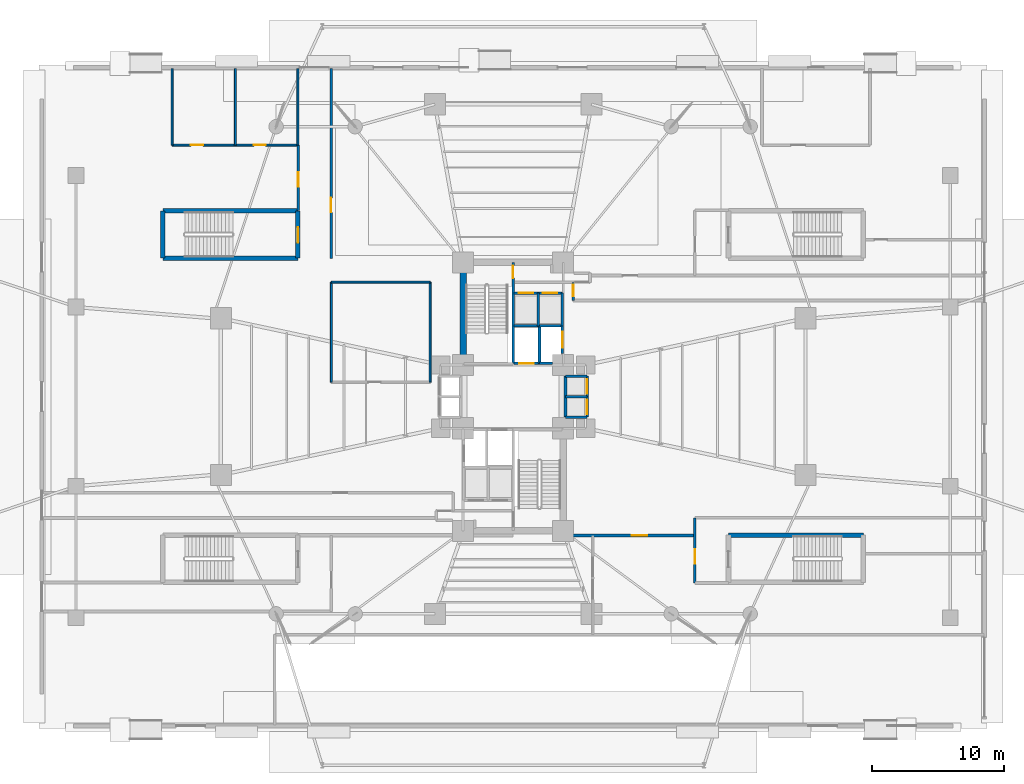
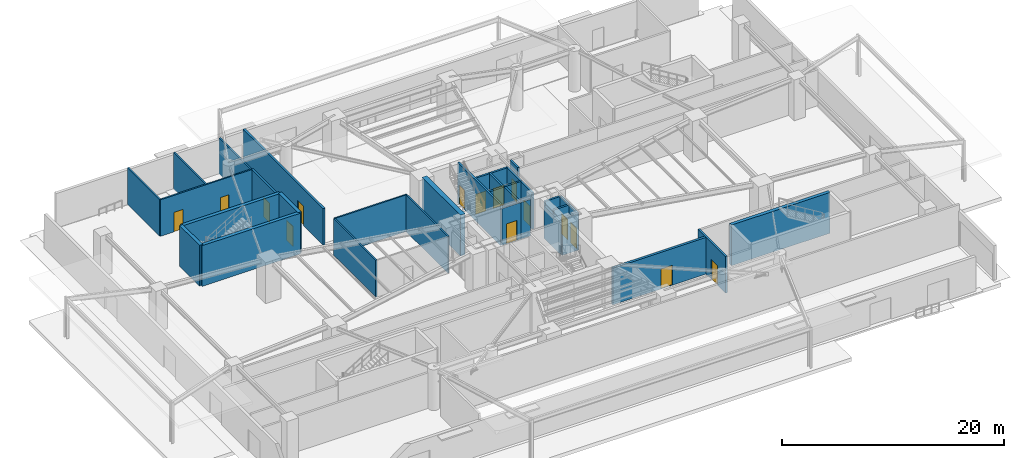
# One storey, part 18 of 31: 34 walls, 15 doors, 15 openings.
"""IFC4 building model written with IfcOpenShell, lengths in metres."""

from ifc_helpers import new_model, si_unit, direction, frame, frame_2d, origin, origin_2d, place, context, subcontext, project, spatial, rectangle, extrude, source, transform, mapped, material, layer, layer_set, type_object, element, fill, save


model = new_model("IFC4")

# Units and contexts
model_context = context("Model", 3, precision=1e-05, world=origin(), true_north=direction((0.0, 1.0)))
body_context = subcontext(model_context, "Body", "Model", "MODEL_VIEW")
ifc_project = project(units=[si_unit("LENGTHUNIT", "METRE"), si_unit("AREAUNIT", "SQUARE_METRE"), si_unit("VOLUMEUNIT", "CUBIC_METRE"), si_unit("PLANEANGLEUNIT", "RADIAN"), si_unit("MASSUNIT", "GRAM", prefix="KILO")], contexts=[model_context])

# Site, building, storey
site_placement = place(None, origin())
site = spatial("IfcSite", under=ifc_project, at=site_placement, CompositionType="ELEMENT")
building_placement = place(site_placement, origin())
building = spatial("IfcBuilding", under=site, at=building_placement, Name="Sahyath Konkavel Grand Hotel", CompositionType="ELEMENT")
storey_placement = place(building_placement, origin())
storey = spatial("IfcBuildingStorey", under=building, at=storey_placement, Name="L00", CompositionType="ELEMENT", Elevation=0.0)

# Walls
ifc_material_1 = material(Name="Concrete C40/50", Category="concrete")
ifc_layer_1 = layer(ifc_material_1, 0.35009765625)
ifc_layer_set_1 = layer_set([ifc_layer_1], Name="Concrete C40/50")
wall_type_1 = type_object("IfcWallType", Name="CWALL-350", PredefinedType="SHEAR", material=ifc_layer_set_1)
for number, where, z_axis, x_axis, name in (
    (1, (-26.60009765625, 14.10009765625, 0.0), (0.0, 0.0, 1.0), (1.0, 0.0, 0.0), "L00 Partition ST-P1-N"),
    (2, (-26.60009765625, 10.52001953125, 0.0), (0.0, 0.0, 1.0), (1.0, 0.0, 0.0), "L00 Partition ST-P1-S"),
):
    element("IfcWall", number, at=place(storey_placement, frame(where, z_axis=z_axis, x_axis=x_axis)), inside=storey, type_object=wall_type_1, Name=name, PredefinedType="SHEAR", context=body_context, shape_type="SweptSolid", body=[
        extrude(rectangle(XDim=10.25, YDim=0.35009765625, at=frame_2d((5.125, 0.0))), origin(), (0.0, 0.0, 1.0), 4.47998046875),
    ])
wall_1_placement = place(storey_placement, frame((-26.60009765625, 10.52001953125, 0.0), z_axis=(0.0, 0.0, 1.0), x_axis=(0.0, 1.0, 0.0)))
element("IfcWall", 3, at=wall_1_placement, inside=storey, type_object=wall_type_1, Name="L00 Partition ST-P1-W", PredefinedType="SHEAR", context=body_context, shape_type="SweptSolid", body=[
    extrude(rectangle(XDim=3.580078125, YDim=0.35009765625, at=frame_2d((1.7900390625, 0.0))), origin(), (0.0, 0.0, 1.0), 4.47998046875),
])

# Wall, opening, door
wall_2_placement = place(storey_placement, frame((-16.35009765625, 10.52001953125, 0.0), z_axis=(0.0, 0.0, 1.0), x_axis=(0.0, 1.0, 0.0)))
wall_2 = element("IfcWall", 4, at=wall_2_placement, inside=storey, type_object=wall_type_1, Name="L00 Partition ST-P1-E", PredefinedType="SHEAR", context=body_context, shape_type="SweptSolid", body=[
    extrude(rectangle(XDim=3.580078125, YDim=0.35009765625, at=frame_2d((1.7900390625, 0.0))), origin(), (0.0, 0.0, 1.0), 4.47998046875),
])
opening_1_placement = place(wall_2_placement, frame((1.14990234375, 0.0, 0.0)))
opening_1 = element("IfcOpeningElement", 5, at=opening_1_placement, cuts=wall_2, Name="Opening D-F12A", PredefinedType="OPENING", context=body_context, shape_type="SweptSolid", body=[
    extrude(rectangle(XDim=1.199951171875, YDim=2.199951171875, at=frame_2d((0.60009765625, 1.10009765625))), frame((0.0, 0.18505859375, 0.0), z_axis=(0.0, -1.0, 0.0), x_axis=(1.0, 0.0, 0.0)), (0.0, 0.0, 1.0), 0.3701171875),
])
ifc_material_2 = material(Name="Steel E350 Fire Door", Category="steel")
door_type_1 = type_object("IfcDoorType", Name="DR-FD120-1200", OperationType="NOTDEFINED", PredefinedType="DOOR", material=ifc_material_2)
shared_shape_1 = source(origin(), body_context, "Body", "SweptSolid", [
    extrude(rectangle(XDim=1.199951171875, YDim=0.050048828125, at=origin_2d()), origin(), (0.0, 0.0, 1.0), 2.199951171875),
])
door_1_placement = place(opening_1_placement, frame((0.60009765625, 0.0, 0.0)))
door_1 = element("IfcDoor", 6, at=door_1_placement, inside=storey, type_object=door_type_1, Name="L00 ST-P1 Fire Door", OperationType="SINGLE_SWING_RIGHT", OverallHeight=2.199951171875, OverallWidth=1.199951171875, PredefinedType="DOOR", context=body_context, shape_type="MappedRepresentation", body=[
    mapped(shared_shape_1, transform((0.0, 0.0, 0.0), scale=1.0)),
])
fill(opening_1, door_1)

# Walls
wall_3_placement = place(storey_placement, frame((16.35009765625, -10.52001953125, 0.0), z_axis=(0.0, 0.0, 1.0), x_axis=(1.0, 0.0, 0.0)))
element("IfcWall", 7, at=wall_3_placement, inside=storey, type_object=wall_type_1, Name="L00 Partition ST-P4-N", PredefinedType="SHEAR", context=body_context, shape_type="SweptSolid", body=[
    extrude(rectangle(XDim=10.25, YDim=0.35009765625, at=frame_2d((5.125, 0.0))), origin(), (0.0, 0.0, 1.0), 4.47998046875),
])
ifc_material_3 = material(Name="Concrete C70/85", Category="concrete")
ifc_layer_2 = layer(ifc_material_3, 0.5)
ifc_layer_set_2 = layer_set([ifc_layer_2], Name="Concrete C70/85")
wall_type_2 = type_object("IfcWallType", Name="CWALL-500", PredefinedType="SHEAR", material=ifc_layer_set_2)
wall_4_placement = place(storey_placement, frame((-3.800048828125, 2.85009765625, 0.0), z_axis=(0.0, 0.0, 1.0), x_axis=(0.0, 1.0, 0.0)))
element("IfcWall", 8, at=wall_4_placement, inside=storey, type_object=wall_type_2, Name="L00 North Core Shear Wall W", PredefinedType="SHEAR", context=body_context, shape_type="SweptSolid", body=[
    extrude(rectangle(XDim=6.89990234375, YDim=0.5, at=frame_2d((3.449951171875, 0.0))), origin(), (0.0, 0.0, 1.0), 4.47998046875),
])

# Wall, opening, door
ifc_layer_3 = layer(ifc_material_1, 0.199951171875)
ifc_layer_set_3 = layer_set([ifc_layer_3], Name="Concrete C40/50")
wall_type_3 = type_object("IfcWallType", Name="WLL-CORE-200", PredefinedType="SOLIDWALL", material=ifc_layer_set_3)
wall_5_placement = place(storey_placement, frame((0.0, 2.5, 0.0), z_axis=(0.0, 0.0, 1.0), x_axis=(0.0, 1.0, 0.0)))
wall_5 = element("IfcWall", 9, at=wall_5_placement, inside=storey, type_object=wall_type_3, Name="L00 Stair ST-1 Shaft Wall E", PredefinedType="SOLIDWALL", context=body_context, shape_type="SweptSolid", body=[
    extrude(rectangle(XDim=7.679931640625, YDim=0.199951171875, at=frame_2d((3.83984375, 0.0))), origin(), (0.0, 0.0, 1.0), 4.47998046875),
])
opening_2_placement = place(wall_5_placement, frame((6.5, 0.0, 0.0)))
opening_2 = element("IfcOpeningElement", 10, at=opening_2_placement, cuts=wall_5, Name="Opening D-F12C", PredefinedType="OPENING", context=body_context, shape_type="SweptSolid", body=[
    extrude(rectangle(XDim=0.949951171875, YDim=2.14990234375, at=frame_2d((0.47509765625, 1.074951171875))), frame((0.0, 0.10986328125, 0.0), z_axis=(0.0, -1.0, 0.0), x_axis=(1.0, 0.0, 0.0)), (0.0, 0.0, 1.0), 0.219970703125),
])
ifc_material_4 = material(Name="Steel E350 Plant Fire Door", Category="steel")
door_type_2 = type_object("IfcDoorType", Name="DR-FD120-950", OperationType="NOTDEFINED", PredefinedType="DOOR", material=ifc_material_4)
shared_shape_2 = source(origin(), body_context, "Body", "SweptSolid", [
    extrude(rectangle(XDim=0.949951171875, YDim=0.050048828125, at=origin_2d()), origin(), (0.0, 0.0, 1.0), 2.14990234375),
])
door_2_placement = place(opening_2_placement, frame((0.47509765625, 0.0, 0.0)))
door_2 = element("IfcDoor", 11, at=door_2_placement, inside=storey, type_object=door_type_2, Name="L00 Stair ST-1 Fire Door", OperationType="SINGLE_SWING_RIGHT", OverallHeight=2.14990234375, OverallWidth=0.949951171875, PredefinedType="DOOR", context=body_context, shape_type="MappedRepresentation", body=[
    mapped(shared_shape_2, transform((0.0, 0.0, 0.0), scale=1.0)),
])
fill(opening_2, door_2)

# Wall
wall_6_placement = place(storey_placement, frame((2.0, 2.5, 0.0), z_axis=(0.0, 0.0, 1.0), x_axis=(0.0, 1.0, 0.0)))
element("IfcWall", 12, at=wall_6_placement, inside=storey, type_object=wall_type_3, Name="L00 Partition SH-FFL1-E", PredefinedType="SOLIDWALL", context=body_context, shape_type="SweptSolid", body=[
    extrude(rectangle(XDim=2.780029296875, YDim=0.199951171875, at=frame_2d((1.39013671875, 0.0))), origin(), (0.0, 0.0, 1.0), 4.030029296875),
])

# Wall, opening, door
wall_7_placement = place(storey_placement, frame((0.050048828125, 2.52001953125, 0.0), z_axis=(0.0, 0.0, 1.0), x_axis=(1.0, 0.0, 0.0)))
wall_7 = element("IfcWall", 13, at=wall_7_placement, inside=storey, type_object=wall_type_3, Name="L00 Partition SH-FFL1-S", PredefinedType="SOLIDWALL", context=body_context, shape_type="SweptSolid", body=[
    extrude(rectangle(XDim=1.949951171875, YDim=0.199951171875, at=frame_2d((0.97509765625, 0.0))), origin(), (0.0, 0.0, 1.0), 4.030029296875),
])
opening_3_placement = place(wall_7_placement, frame((0.419921875, 0.0, 0.0)))
opening_3 = element("IfcOpeningElement", 14, at=opening_3_placement, cuts=wall_7, Name="Opening LD-11", PredefinedType="OPENING", context=body_context, shape_type="SweptSolid", body=[
    extrude(rectangle(XDim=1.10009765625, YDim=2.199951171875, at=frame_2d((0.550048828125, 1.10009765625))), frame((0.0, 0.10986328125, 0.0), z_axis=(0.0, -1.0, 0.0), x_axis=(1.0, 0.0, 0.0)), (0.0, 0.0, 1.0), 0.219970703125),
])
ifc_material_5 = material(Name="Bronze Lift Landing Door 1100")
door_type_3 = type_object("IfcDoorType", Name="DR-LIFT-1100", OperationType="DOUBLE_DOOR_SLIDING", PredefinedType="DOOR", material=ifc_material_5)
shared_shape_3 = source(origin(), body_context, "Body", "SweptSolid", [
    extrude(rectangle(XDim=1.10009765625, YDim=0.050048828125, at=origin_2d()), origin(), (0.0, 0.0, 1.0), 2.199951171875),
])
door_3_placement = place(opening_3_placement, frame((0.550048828125, 0.0, 0.0)))
door_3 = element("IfcDoor", 15, at=door_3_placement, inside=storey, type_object=door_type_3, Name="L00 Lift FFL-1 Landing Door", OperationType="DOUBLE_DOOR_SLIDING", OverallHeight=2.199951171875, OverallWidth=1.10009765625, PredefinedType="DOOR", context=body_context, shape_type="MappedRepresentation", body=[
    mapped(shared_shape_3, transform((0.0, 0.0, 0.0), scale=1.0)),
])
fill(opening_3, door_3)

# Wall
wall_8_placement = place(storey_placement, frame((2.0, 2.52001953125, 0.0), z_axis=(0.0, 0.0, 1.0), x_axis=(1.0, 0.0, 0.0)))
element("IfcWall", 16, at=wall_8_placement, inside=storey, type_object=wall_type_3, Name="L00 Partition SH-SVL1-S", PredefinedType="SOLIDWALL", context=body_context, shape_type="SweptSolid", body=[
    extrude(rectangle(XDim=1.0, YDim=0.199951171875, at=frame_2d((0.5, 0.0))), origin(), (0.0, 0.0, 1.0), 4.030029296875),
])

# Wall, opening, door
wall_9_placement = place(storey_placement, frame((3.739990234375, 3.280029296875, 0.0), z_axis=(0.0, 0.0, 1.0), x_axis=(0.0, 1.0, 0.0)))
wall_9 = element("IfcWall", 17, at=wall_9_placement, inside=storey, type_object=wall_type_3, Name="L00 Partition SH-SVL1-E", PredefinedType="SOLIDWALL", context=body_context, shape_type="SweptSolid", body=[
    extrude(rectangle(XDim=2.080078125, YDim=0.199951171875, at=frame_2d((1.0400390625, 0.0))), origin(), (0.0, 0.0, 1.0), 4.030029296875),
])
opening_4_placement = place(wall_9_placement, frame((0.43994140625, 0.0, 0.0)))
opening_4 = element("IfcOpeningElement", 18, at=opening_4_placement, cuts=wall_9, Name="Opening LD-12", PredefinedType="OPENING", context=body_context, shape_type="SweptSolid", body=[
    extrude(rectangle(XDim=1.199951171875, YDim=2.199951171875, at=frame_2d((0.60009765625, 1.10009765625))), frame((0.0, 0.10986328125, 0.0), z_axis=(0.0, -1.0, 0.0), x_axis=(1.0, 0.0, 0.0)), (0.0, 0.0, 1.0), 0.219970703125),
])
ifc_material_6 = material(Name="Stainless Steel Lift Landing Door 1200", Category="steel")
door_type_4 = type_object("IfcDoorType", Name="DR-LIFT-1200", OperationType="DOUBLE_DOOR_SLIDING", PredefinedType="DOOR", material=ifc_material_6)
door_4_placement = place(opening_4_placement, frame((0.60009765625, 0.0, 0.0)))
door_4 = element("IfcDoor", 19, at=door_4_placement, inside=storey, type_object=door_type_4, Name="L00 Service Lift SVL-1 Landing Door", OperationType="DOUBLE_DOOR_SLIDING", OverallHeight=2.199951171875, OverallWidth=1.199951171875, PredefinedType="DOOR", context=body_context, shape_type="MappedRepresentation", body=[
    mapped(shared_shape_1, transform((0.0, 0.0, 0.0), scale=1.0)),
])
fill(opening_4, door_4)

# Walls
wall_10_placement = place(storey_placement, frame((0.050048828125, 5.3798828125, 0.0), z_axis=(0.0, 0.0, 1.0), x_axis=(1.0, 0.0, 0.0)))
element("IfcWall", 20, at=wall_10_placement, inside=storey, type_object=wall_type_3, Name="L00 Partition SH-PL12-S", PredefinedType="SOLIDWALL", context=body_context, shape_type="SweptSolid", body=[
    extrude(rectangle(XDim=3.68994140625, YDim=0.199951171875, at=frame_2d((1.844970703125, 0.0))), origin(), (0.0, 0.0, 1.0), 4.030029296875),
])
wall_11_placement = place(storey_placement, frame((1.89990234375, 5.3798828125, 0.0), z_axis=(0.0, 0.0, 1.0), x_axis=(0.0, 1.0, 0.0)))
element("IfcWall", 21, at=wall_11_placement, inside=storey, type_object=wall_type_3, Name="L00 Partition SH-PL12-M", PredefinedType="SOLIDWALL", context=body_context, shape_type="SweptSolid", body=[
    extrude(rectangle(XDim=2.480224609375, YDim=0.199951171875, at=frame_2d((1.240234375, 0.0))), origin(), (0.0, 0.0, 1.0), 4.030029296875),
])

# Wall, opening, door
wall_12_placement = place(storey_placement, frame((0.050048828125, 7.860107421875, 0.0), z_axis=(0.0, 0.0, 1.0), x_axis=(1.0, 0.0, 0.0)))
wall_12 = element("IfcWall", 22, at=wall_12_placement, inside=storey, type_object=wall_type_3, Name="L00 Partition SH-PL1-N", PredefinedType="SOLIDWALL", context=body_context, shape_type="SweptSolid", body=[
    extrude(rectangle(XDim=1.849853515625, YDim=0.199951171875, at=frame_2d((0.9248046875, 0.0))), origin(), (0.0, 0.0, 1.0), 4.030029296875),
])
opening_5_placement = place(wall_12_placement, frame((0.360107421875, 0.0, 0.0)))
opening_5 = element("IfcOpeningElement", 23, at=opening_5_placement, cuts=wall_12, Name="Opening LD-11", PredefinedType="OPENING", context=body_context, shape_type="SweptSolid", body=[
    extrude(rectangle(XDim=1.10009765625, YDim=2.199951171875, at=frame_2d((0.550048828125, 1.10009765625))), frame((0.0, 0.10986328125, 0.0), z_axis=(0.0, -1.0, 0.0), x_axis=(1.0, 0.0, 0.0)), (0.0, 0.0, 1.0), 0.219970703125),
])
door_5_placement = place(opening_5_placement, frame((0.550048828125, 0.0, 0.0)))
door_5 = element("IfcDoor", 24, at=door_5_placement, inside=storey, type_object=door_type_3, Name="L00 Passenger Lift PL-1 Landing Door", OperationType="DOUBLE_DOOR_SLIDING", OverallHeight=2.199951171875, OverallWidth=1.10009765625, PredefinedType="DOOR", context=body_context, shape_type="MappedRepresentation", body=[
    mapped(shared_shape_3, transform((0.0, 0.0, 0.0), scale=1.0)),
])
fill(opening_5, door_5)

# Wall
wall_13_placement = place(storey_placement, frame((3.739990234375, 5.3798828125, 0.0), z_axis=(0.0, 0.0, 1.0), x_axis=(0.0, 1.0, 0.0)))
element("IfcWall", 25, at=wall_13_placement, inside=storey, type_object=wall_type_3, Name="L00 Partition SH-PL2-E", PredefinedType="SOLIDWALL", context=body_context, shape_type="SweptSolid", body=[
    extrude(rectangle(XDim=2.480224609375, YDim=0.199951171875, at=frame_2d((1.240234375, 0.0))), origin(), (0.0, 0.0, 1.0), 4.030029296875),
])

# Wall, opening, door
wall_14_placement = place(storey_placement, frame((1.89990234375, 7.860107421875, 0.0), z_axis=(0.0, 0.0, 1.0), x_axis=(1.0, 0.0, 0.0)))
wall_14 = element("IfcWall", 26, at=wall_14_placement, inside=storey, type_object=wall_type_3, Name="L00 Partition SH-PL2-N", PredefinedType="SOLIDWALL", context=body_context, shape_type="SweptSolid", body=[
    extrude(rectangle(XDim=1.840087890625, YDim=0.199951171875, at=frame_2d((0.919921875, 0.0))), origin(), (0.0, 0.0, 1.0), 4.030029296875),
])
opening_6_placement = place(wall_14_placement, frame((0.360107421875, 0.0, 0.0)))
opening_6 = element("IfcOpeningElement", 27, at=opening_6_placement, cuts=wall_14, Name="Opening LD-11", PredefinedType="OPENING", context=body_context, shape_type="SweptSolid", body=[
    extrude(rectangle(XDim=1.10009765625, YDim=2.199951171875, at=frame_2d((0.550048828125, 1.10009765625))), frame((0.0, 0.10986328125, 0.0), z_axis=(0.0, -1.0, 0.0), x_axis=(1.0, 0.0, 0.0)), (0.0, 0.0, 1.0), 0.219970703125),
])
door_6_placement = place(opening_6_placement, frame((0.550048828125, 0.0, 0.0)))
door_6 = element("IfcDoor", 28, at=door_6_placement, inside=storey, type_object=door_type_3, Name="L00 Passenger Lift PL-2 Landing Door", OperationType="DOUBLE_DOOR_SLIDING", OverallHeight=2.199951171875, OverallWidth=1.10009765625, PredefinedType="DOOR", context=body_context, shape_type="MappedRepresentation", body=[
    mapped(shared_shape_3, transform((0.0, 0.0, 0.0), scale=1.0)),
])
fill(opening_6, door_6)

# Walls
wall_15_placement = place(storey_placement, frame((3.97998046875, -1.56005859375, 0.0), z_axis=(0.0, 0.0, 1.0), x_axis=(0.0, 1.0, 0.0)))
element("IfcWall", 29, at=wall_15_placement, inside=storey, type_object=wall_type_3, Name="L00 Partition SH-PL56-W", PredefinedType="SOLIDWALL", context=body_context, shape_type="SweptSolid", body=[
    extrude(rectangle(XDim=3.1201171875, YDim=0.199951171875, at=frame_2d((1.56005859375, 0.0))), origin(), (0.0, 0.0, 1.0), 3.550048828125),
])
for number, where, z_axis, x_axis, name in (
    (30, (3.97998046875, 1.56005859375, 0.0), (0.0, 0.0, 1.0), (1.0, 0.0, 0.0), "L00 Partition SH-PL56-N"),
    (31, (3.97998046875, -1.56005859375, 0.0), (0.0, 0.0, 1.0), (1.0, 0.0, 0.0), "L00 Partition SH-PL56-S"),
    (32, (3.97998046875, 0.0, 0.0), (0.0, 0.0, 1.0), (1.0, 0.0, 0.0), "L00 Partition SH-PL56-M"),
):
    element("IfcWall", number, at=place(storey_placement, frame(where, z_axis=z_axis, x_axis=x_axis)), inside=storey, type_object=wall_type_3, Name=name, PredefinedType="SOLIDWALL", context=body_context, shape_type="SweptSolid", body=[
        extrude(rectangle(XDim=1.64013671875, YDim=0.199951171875, at=frame_2d((0.820068359375, 0.0))), origin(), (0.0, 0.0, 1.0), 4.030029296875),
    ])

# Wall, opening, door
wall_16_placement = place(storey_placement, frame((5.6201171875, 0.0, 0.0), z_axis=(0.0, 0.0, 1.0), x_axis=(0.0, 1.0, 0.0)))
wall_16 = element("IfcWall", 33, at=wall_16_placement, inside=storey, type_object=wall_type_3, Name="L00 Partition SH-PL5-E", PredefinedType="SOLIDWALL", context=body_context, shape_type="SweptSolid", body=[
    extrude(rectangle(XDim=1.56005859375, YDim=0.199951171875, at=frame_2d((0.780029296875, 0.0))), origin(), (0.0, 0.0, 1.0), 4.030029296875),
])
opening_7_placement = place(wall_16_placement, frame((0.219970703125, 0.0, 0.0)))
opening_7 = element("IfcOpeningElement", 34, at=opening_7_placement, cuts=wall_16, Name="Opening LD-11", PredefinedType="OPENING", context=body_context, shape_type="SweptSolid", body=[
    extrude(rectangle(XDim=1.10009765625, YDim=2.199951171875, at=frame_2d((0.550048828125, 1.10009765625))), frame((0.0, 0.10986328125, 0.0), z_axis=(0.0, -1.0, 0.0), x_axis=(1.0, 0.0, 0.0)), (0.0, 0.0, 1.0), 0.219970703125),
])
door_7_placement = place(opening_7_placement, frame((0.550048828125, 0.0, 0.0)))
door_7 = element("IfcDoor", 35, at=door_7_placement, inside=storey, type_object=door_type_3, Name="L00 High-Rise Lift PL-5 Landing Door", OperationType="DOUBLE_DOOR_SLIDING", OverallHeight=2.199951171875, OverallWidth=1.10009765625, PredefinedType="DOOR", context=body_context, shape_type="MappedRepresentation", body=[
    mapped(shared_shape_3, transform((0.0, 0.0, 0.0), scale=1.0)),
])
fill(opening_7, door_7)

wall_17_placement = place(storey_placement, frame((5.6201171875, -1.56005859375, 0.0), z_axis=(0.0, 0.0, 1.0), x_axis=(0.0, 1.0, 0.0)))
wall_17 = element("IfcWall", 36, at=wall_17_placement, inside=storey, type_object=wall_type_3, Name="L00 Partition SH-PL6-E", PredefinedType="SOLIDWALL", context=body_context, shape_type="SweptSolid", body=[
    extrude(rectangle(XDim=1.56005859375, YDim=0.199951171875, at=frame_2d((0.780029296875, 0.0))), origin(), (0.0, 0.0, 1.0), 4.030029296875),
])
opening_8_placement = place(wall_17_placement, frame((0.219970703125, 0.0, 0.0)))
opening_8 = element("IfcOpeningElement", 37, at=opening_8_placement, cuts=wall_17, Name="Opening LD-11", PredefinedType="OPENING", context=body_context, shape_type="SweptSolid", body=[
    extrude(rectangle(XDim=1.10009765625, YDim=2.199951171875, at=frame_2d((0.550048828125, 1.10009765625))), frame((0.0, 0.10986328125, 0.0), z_axis=(0.0, -1.0, 0.0), x_axis=(1.0, 0.0, 0.0)), (0.0, 0.0, 1.0), 0.219970703125),
])
door_8_placement = place(opening_8_placement, frame((0.550048828125, 0.0, 0.0)))
door_8 = element("IfcDoor", 38, at=door_8_placement, inside=storey, type_object=door_type_3, Name="L00 High-Rise Lift PL-6 Landing Door", OperationType="DOUBLE_DOOR_SLIDING", OverallHeight=2.199951171875, OverallWidth=1.10009765625, PredefinedType="DOOR", context=body_context, shape_type="MappedRepresentation", body=[
    mapped(shared_shape_3, transform((0.0, 0.0, 0.0), scale=1.0)),
])
fill(opening_8, door_8)

wall_18_placement = place(storey_placement, frame((-13.820068359375, 10.5, 0.0), z_axis=(0.0, 0.0, 1.0), x_axis=(0.0, 1.0, 0.0)))
wall_18 = element("IfcWall", 39, at=wall_18_placement, inside=storey, type_object=wall_type_3, Name="L00 Partition L00-EXP1-E", PredefinedType="SOLIDWALL", context=body_context, shape_type="SweptSolid", body=[
    extrude(rectangle(XDim=14.39990234375, YDim=0.199951171875, at=frame_2d((7.199951171875, 0.0))), origin(), (0.0, 0.0, 1.0), 4.030029296875),
])
opening_9_placement = place(wall_18_placement, frame((3.5, 0.0, 0.0)))
opening_9 = element("IfcOpeningElement", 40, at=opening_9_placement, cuts=wall_18, Name="Opening D-F12B", PredefinedType="OPENING", context=body_context, shape_type="SweptSolid", body=[
    extrude(rectangle(XDim=1.10009765625, YDim=2.14990234375, at=frame_2d((0.550048828125, 1.074951171875))), frame((0.0, 0.10986328125, 0.0), z_axis=(0.0, -1.0, 0.0), x_axis=(1.0, 0.0, 0.0)), (0.0, 0.0, 1.0), 0.219970703125),
])
ifc_material_7 = material(Name="Steel E350 Smokeproof Fire Door", Category="steel")
door_type_5 = type_object("IfcDoorType", Name="DR-FD120-1100", OperationType="NOTDEFINED", PredefinedType="DOOR", material=ifc_material_7)
shared_shape_4 = source(origin(), body_context, "Body", "SweptSolid", [
    extrude(rectangle(XDim=1.10009765625, YDim=0.050048828125, at=origin_2d()), origin(), (0.0, 0.0, 1.0), 2.14990234375),
])
door_9_placement = place(opening_9_placement, frame((0.550048828125, 0.0, 0.0)))
door_9 = element("IfcDoor", 41, at=door_9_placement, inside=storey, type_object=door_type_5, Name="L00 Door L00-EXP1-LOB", OperationType="SINGLE_SWING_RIGHT", OverallHeight=2.14990234375, OverallWidth=1.10009765625, PredefinedType="DOOR", context=body_context, shape_type="MappedRepresentation", body=[
    mapped(shared_shape_4, transform((0.0, 0.0, 0.0), scale=1.0)),
])
fill(opening_9, door_9)

wall_19_placement = place(storey_placement, frame((-16.320068359375, 14.14990234375, 0.0), z_axis=(0.0, 0.0, 1.0), x_axis=(0.0, 1.0, 0.0)))
wall_19 = element("IfcWall", 42, at=wall_19_placement, inside=storey, type_object=wall_type_3, Name="L00 Partition L00-EXP1-W", PredefinedType="SOLIDWALL", context=body_context, shape_type="SweptSolid", body=[
    extrude(rectangle(XDim=4.9501953125, YDim=0.199951171875, at=frame_2d((2.47509765625, 0.0))), origin(), (0.0, 0.0, 1.0), 4.030029296875),
])
opening_10_placement = place(wall_19_placement, frame((1.800048828125, 0.0, 0.0)))
opening_10 = element("IfcOpeningElement", 43, at=opening_10_placement, cuts=wall_19, Name="Opening D-F12B", PredefinedType="OPENING", context=body_context, shape_type="SweptSolid", body=[
    extrude(rectangle(XDim=1.10009765625, YDim=2.14990234375, at=frame_2d((0.550048828125, 1.074951171875))), frame((0.0, 0.10986328125, 0.0), z_axis=(0.0, -1.0, 0.0), x_axis=(1.0, 0.0, 0.0)), (0.0, 0.0, 1.0), 0.219970703125),
])
door_10_placement = place(opening_10_placement, frame((0.550048828125, 0.0, 0.0)))
door_10 = element("IfcDoor", 44, at=door_10_placement, inside=storey, type_object=door_type_5, Name="L00 Door L00-EXP1-WC", OperationType="SINGLE_SWING_LEFT", OverallHeight=2.14990234375, OverallWidth=1.10009765625, PredefinedType="DOOR", context=body_context, shape_type="MappedRepresentation", body=[
    mapped(shared_shape_4, transform((0.0, 0.0, 0.0), scale=1.0)),
])
fill(opening_10, door_10)

wall_20_placement = place(storey_placement, frame((4.56005859375, 7.300048828125, 0.0), z_axis=(0.0, 0.0, 1.0), x_axis=(0.0, 1.0, 0.0)))
wall_20 = element("IfcWall", 45, at=wall_20_placement, inside=storey, type_object=wall_type_3, Name="L00 Partition L00-EXP-ST1W0", PredefinedType="SOLIDWALL", context=body_context, shape_type="SweptSolid", body=[
    extrude(rectangle(XDim=1.3798828125, YDim=0.199951171875, at=frame_2d((0.68994140625, 0.0))), origin(), (0.0, 0.0, 1.0), 4.030029296875),
])
opening_11_placement = place(wall_20_placement, frame((0.330078125, 0.0, 0.0)))
opening_11 = element("IfcOpeningElement", 46, at=opening_11_placement, cuts=wall_20, Name="Opening D-F12D", PredefinedType="OPENING", context=body_context, shape_type="SweptSolid", body=[
    extrude(rectangle(XDim=0.85009765625, YDim=2.10009765625, at=frame_2d((0.425048828125, 1.050048828125))), frame((0.0, 0.10986328125, 0.0), z_axis=(0.0, -1.0, 0.0), x_axis=(1.0, 0.0, 0.0)), (0.0, 0.0, 1.0), 0.219970703125),
])
ifc_material_8 = material(Name="Steel E350 Core Fire Door", Category="steel")
door_type_6 = type_object("IfcDoorType", Name="DR-FD120-850", OperationType="NOTDEFINED", PredefinedType="DOOR", material=ifc_material_8)
shared_shape_5 = source(origin(), body_context, "Body", "SweptSolid", [
    extrude(rectangle(XDim=0.85009765625, YDim=0.050048828125, at=origin_2d()), origin(), (0.0, 0.0, 1.0), 2.10009765625),
])
door_11_placement = place(opening_11_placement, frame((0.425048828125, 0.0, 0.0)))
door_11 = element("IfcDoor", 47, at=door_11_placement, inside=storey, type_object=door_type_6, Name="L00 Door L00-NCLL-EXP1", OperationType="SINGLE_SWING_RIGHT", OverallHeight=2.10009765625, OverallWidth=0.85009765625, PredefinedType="DOOR", context=body_context, shape_type="MappedRepresentation", body=[
    mapped(shared_shape_5, transform((0.0, 0.0, 0.0), scale=1.0)),
])
fill(opening_11, door_11)

wall_21_placement = place(storey_placement, frame((13.800048828125, -14.14990234375, 0.0), z_axis=(0.0, 0.0, 1.0), x_axis=(0.0, 1.0, 0.0)))
wall_21 = element("IfcWall", 48, at=wall_21_placement, inside=storey, type_object=wall_type_3, Name="L00 Partition L00-EXP4-W", PredefinedType="SOLIDWALL", context=body_context, shape_type="SweptSolid", body=[
    extrude(rectangle(XDim=4.949951171875, YDim=0.199951171875, at=frame_2d((2.47509765625, 0.0))), origin(), (0.0, 0.0, 1.0), 4.030029296875),
])
opening_12_placement = place(wall_21_placement, frame((1.449951171875, 0.0, 0.0)))
opening_12 = element("IfcOpeningElement", 49, at=opening_12_placement, cuts=wall_21, Name="Opening D-F12B", PredefinedType="OPENING", context=body_context, shape_type="SweptSolid", body=[
    extrude(rectangle(XDim=1.10009765625, YDim=2.14990234375, at=frame_2d((0.550048828125, 1.074951171875))), frame((0.0, 0.10986328125, 0.0), z_axis=(0.0, -1.0, 0.0), x_axis=(1.0, 0.0, 0.0)), (0.0, 0.0, 1.0), 0.219970703125),
])
door_12_placement = place(opening_12_placement, frame((0.550048828125, 0.0, 0.0)))
door_12 = element("IfcDoor", 50, at=door_12_placement, inside=storey, type_object=door_type_5, Name="L00 Door L00-EXP4-CONC", OperationType="SINGLE_SWING_RIGHT", OverallHeight=2.14990234375, OverallWidth=1.10009765625, PredefinedType="DOOR", context=body_context, shape_type="MappedRepresentation", body=[
    mapped(shared_shape_4, transform((0.0, 0.0, 0.0), scale=1.0)),
])
fill(opening_12, door_12)

ifc_layer_4 = layer(ifc_material_1, 0.25)
ifc_layer_set_4 = layer_set([ifc_layer_4], Name="Concrete C40/50")
wall_type_4 = type_object("IfcWallType", Name="WLL-FIRE-240", PredefinedType="SOLIDWALL", material=ifc_layer_set_4)
wall_22_placement = place(storey_placement, frame((4.0, -10.550048828125, 0.0), z_axis=(0.0, 0.0, 1.0), x_axis=(1.0, 0.0, 0.0)))
wall_22 = element("IfcWall", 51, at=wall_22_placement, inside=storey, type_object=wall_type_4, Name="L00 Partition L00-MBAR-E", PredefinedType="SOLIDWALL", context=body_context, shape_type="SweptSolid", body=[
    extrude(rectangle(XDim=9.800048828125, YDim=0.25, at=frame_2d((4.89990234375, 0.0))), origin(), (0.0, 0.0, 1.0), 4.030029296875),
])
opening_13_placement = place(wall_22_placement, frame((5.0, 0.0, 0.0)))
opening_13 = element("IfcOpeningElement", 52, at=opening_13_placement, cuts=wall_22, Name="Opening D-F12A", PredefinedType="OPENING", context=body_context, shape_type="SweptSolid", body=[
    extrude(rectangle(XDim=1.199951171875, YDim=2.199951171875, at=frame_2d((0.60009765625, 1.10009765625))), frame((0.0, 0.135009765625, 0.0), z_axis=(0.0, -1.0, 0.0), x_axis=(1.0, 0.0, 0.0)), (0.0, 0.0, 1.0), 0.27001953125),
])
door_13_placement = place(opening_13_placement, frame((0.60009765625, 0.0, 0.0)))
door_13 = element("IfcDoor", 53, at=door_13_placement, inside=storey, type_object=door_type_1, Name="L00 Door L00-MLOCK-E", OperationType="SINGLE_SWING_LEFT", OverallHeight=2.199951171875, OverallWidth=1.199951171875, PredefinedType="DOOR", context=body_context, shape_type="MappedRepresentation", body=[
    mapped(shared_shape_1, transform((0.0, 0.0, 0.0), scale=1.0)),
])
fill(opening_13, door_13)

# Wall, openings, doors
ifc_material_9 = material(Name="Fire-Rated Gypsum Plasterboard Partition")
ifc_layer_5 = layer(ifc_material_9, 0.14990234375)
ifc_layer_set_5 = layer_set([ifc_layer_5], Name="Fire-Rated Gypsum Plasterboard Partition")
wall_type_5 = type_object("IfcWallType", Name="WLL-PART-150", PredefinedType="PARTITIONING", material=ifc_layer_set_5)
wall_23_placement = place(storey_placement, frame((-25.89990234375, 19.10009765625, 0.0), z_axis=(0.0, 0.0, 1.0), x_axis=(1.0, 0.0, 0.0)))
wall_23 = element("IfcWall", 54, at=wall_23_placement, inside=storey, type_object=wall_type_5, Name="L00 Partition L00-WC-S", PredefinedType="PARTITIONING", context=body_context, shape_type="SweptSolid", body=[
    extrude(rectangle(XDim=9.5498046875, YDim=0.14990234375, at=frame_2d((4.77490234375, 0.0))), origin(), (0.0, 0.0, 1.0), 4.030029296875),
])
opening_14_placement = place(wall_23_placement, frame((1.39990234375, 0.0, 0.0)))
opening_14 = element("IfcOpeningElement", 55, at=opening_14_placement, cuts=wall_23, Name="Opening D-AC95", PredefinedType="OPENING", context=body_context, shape_type="SweptSolid", body=[
    extrude(rectangle(XDim=0.949951171875, YDim=2.14990234375, at=frame_2d((0.47509765625, 1.074951171875))), frame((0.0, 0.0849609375, 0.0), z_axis=(0.0, -1.0, 0.0), x_axis=(1.0, 0.0, 0.0)), (0.0, 0.0, 1.0), 0.169921875),
])
opening_15_placement = place(wall_23_placement, frame((6.199951171875, 0.0, 0.0)))
opening_15 = element("IfcOpeningElement", 56, at=opening_15_placement, cuts=wall_23, Name="Opening D-IN90", PredefinedType="OPENING", context=body_context, shape_type="SweptSolid", body=[
    extrude(rectangle(XDim=0.89990234375, YDim=2.10009765625, at=frame_2d((0.449951171875, 1.050048828125))), frame((0.0, 0.0849609375, 0.0), z_axis=(0.0, -1.0, 0.0), x_axis=(1.0, 0.0, 0.0)), (0.0, 0.0, 1.0), 0.169921875),
])
ifc_material_10 = material(Name="Accessible Washroom Timber Door", Category="wood")
door_type_7 = type_object("IfcDoorType", Name="DR-ACC-950", OperationType="NOTDEFINED", PredefinedType="DOOR", material=ifc_material_10)
door_14_placement = place(opening_14_placement, frame((0.47509765625, 0.0, 0.0)))
door_14 = element("IfcDoor", 57, at=door_14_placement, inside=storey, type_object=door_type_7, Name="L00 Door L00-AWC-D", OperationType="SINGLE_SWING_LEFT", OverallHeight=2.14990234375, OverallWidth=0.949951171875, PredefinedType="DOOR", context=body_context, shape_type="MappedRepresentation", body=[
    mapped(shared_shape_2, transform((0.0, 0.0, 0.0), scale=1.0)),
])
fill(opening_14, door_14)
ifc_material_11 = material(Name="Acoustic Timber Restroom Door", Category="wood")
door_type_8 = type_object("IfcDoorType", Name="DR-INT-900", OperationType="NOTDEFINED", PredefinedType="DOOR", material=ifc_material_11)
shared_shape_6 = source(origin(), body_context, "Body", "SweptSolid", [
    extrude(rectangle(XDim=0.89990234375, YDim=0.050048828125, at=origin_2d()), origin(), (0.0, 0.0, 1.0), 2.10009765625),
])
door_15_placement = place(opening_15_placement, frame((0.449951171875, 0.0, 0.0)))
door_15 = element("IfcDoor", 58, at=door_15_placement, inside=storey, type_object=door_type_8, Name="L00 Door L00-PWC-D", OperationType="SINGLE_SWING_RIGHT", OverallHeight=2.10009765625, OverallWidth=0.89990234375, PredefinedType="DOOR", context=body_context, shape_type="MappedRepresentation", body=[
    mapped(shared_shape_6, transform((0.0, 0.0, 0.0), scale=1.0)),
])
fill(opening_15, door_15)

# Walls
for number, where, z_axis, x_axis, name in (
    (59, (-25.89990234375, 19.10009765625, 0.0), (0.0, 0.0, 1.0), (0.0, 1.0, 0.0), "L00 Partition L00-WC-W"),
    (60, (-21.10009765625, 19.10009765625, 0.0), (0.0, 0.0, 1.0), (0.0, 1.0, 0.0), "L00 Partition L00-WC-M"),
):
    element("IfcWall", number, at=place(storey_placement, frame(where, z_axis=z_axis, x_axis=x_axis)), inside=storey, type_object=wall_type_5, Name=name, PredefinedType="PARTITIONING", context=body_context, shape_type="SweptSolid", body=[
        extrude(rectangle(XDim=5.7998046875, YDim=0.14990234375, at=frame_2d((2.89990234375, 0.0))), origin(), (0.0, 0.0, 1.0), 4.030029296875),
    ])
wall_24_placement = place(storey_placement, frame((-16.35009765625, 19.10009765625, 0.0), z_axis=(0.0, 0.0, 1.0), x_axis=(0.0, 1.0, 0.0)))
element("IfcWall", 61, at=wall_24_placement, inside=storey, type_object=wall_type_5, Name="L00 Partition L00-WC-E", PredefinedType="PARTITIONING", context=body_context, shape_type="SweptSolid", body=[
    extrude(rectangle(XDim=5.7998046875, YDim=0.14990234375, at=frame_2d((2.89990234375, 0.0))), origin(), (0.0, 0.0, 1.0), 3.949951171875),
])
wall_25_placement = place(storey_placement, frame((-13.800048828125, 8.699951171875, 0.0), z_axis=(0.0, 0.0, 1.0), x_axis=(1.0, 0.0, 0.0)))
element("IfcWall", 62, at=wall_25_placement, inside=storey, type_object=wall_type_5, Name="L00 Partition L00-LG-N", PredefinedType="PARTITIONING", context=body_context, shape_type="SweptSolid", body=[
    extrude(rectangle(XDim=7.5, YDim=0.14990234375, at=frame_2d((3.75, 0.0))), origin(), (0.0, 0.0, 1.0), 4.030029296875),
])
for number, where, z_axis, x_axis, name in (
    (63, (-13.800048828125, 1.10009765625, 0.0), (0.0, 0.0, 1.0), (0.0, 1.0, 0.0), "L00 Partition L00-LG-W"),
    (64, (-6.300048828125, 1.10009765625, 0.0), (0.0, 0.0, 1.0), (0.0, 1.0, 0.0), "L00 Partition L00-LG-E"),
):
    element("IfcWall", number, at=place(storey_placement, frame(where, z_axis=z_axis, x_axis=x_axis)), inside=storey, type_object=wall_type_5, Name=name, PredefinedType="PARTITIONING", context=body_context, shape_type="SweptSolid", body=[
        extrude(rectangle(XDim=7.599853515625, YDim=0.14990234375, at=frame_2d((3.7998046875, 0.0))), origin(), (0.0, 0.0, 1.0), 4.030029296875),
    ])

save(model, "model.ifc")
